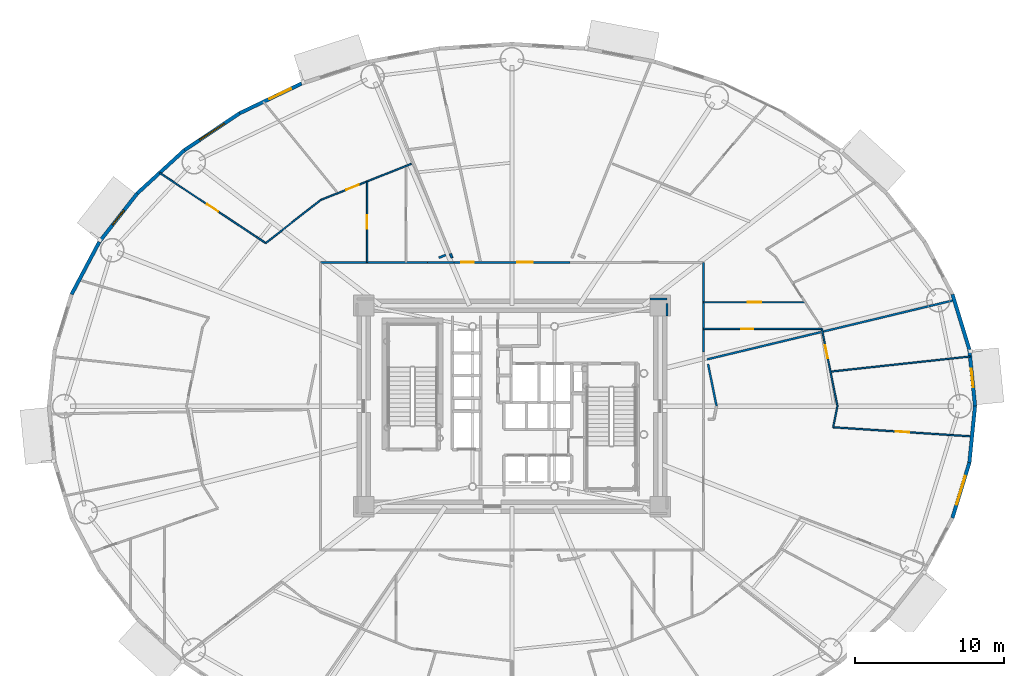
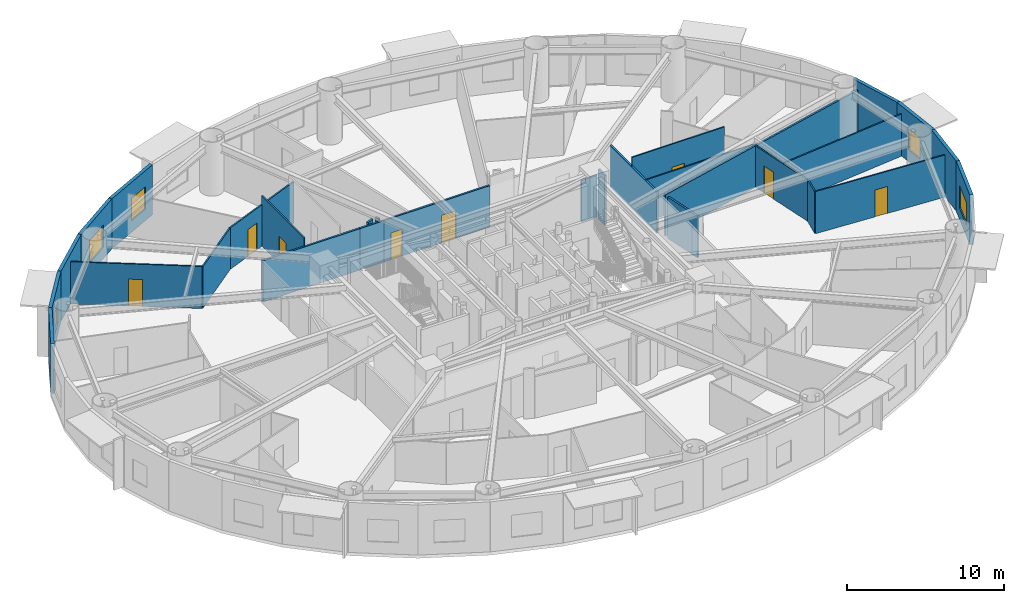
# One storey, part 12 of 21: 29 walls, 9 doors, 5 windows, 14 openings.
"""IFC4 building model written with IfcOpenShell, lengths in metres."""

from ifc_helpers import new_model, si_unit, direction, frame, frame_2d, origin, origin_2d, place, context, subcontext, project, spatial, rectangle, extrude, source, transform, mapped, material, layer, layer_set, type_object, element, fill, save


model = new_model("IFC4")

# Units and contexts
model_context = context("Model", 3, precision=1e-05, world=origin(), true_north=direction((0.0, 1.0)))
body_context = subcontext(model_context, "Body", "Model", "MODEL_VIEW")
ifc_project = project(units=[si_unit("LENGTHUNIT", "METRE"), si_unit("AREAUNIT", "SQUARE_METRE"), si_unit("VOLUMEUNIT", "CUBIC_METRE"), si_unit("PLANEANGLEUNIT", "RADIAN"), si_unit("MASSUNIT", "GRAM", prefix="KILO")], contexts=[model_context])

# Site, building, storey
site_placement = place(None, origin())
site = spatial("IfcSite", under=ifc_project, at=site_placement, CompositionType="ELEMENT")
building_placement = place(site_placement, origin())
building = spatial("IfcBuilding", under=site, at=building_placement, Name="Linh Dai School and Residence Tower", CompositionType="ELEMENT")
storey_placement = place(building_placement, frame((0.0, 0.0, 82.800048828125)))
storey = spatial("IfcBuildingStorey", under=building, at=storey_placement, Name="L19", CompositionType="ELEMENT", Elevation=82.800048828125)

# Wall, opening, window
ifc_material_1 = material(Name="Precast Concrete B45 (C35/45)", Category="concrete")
ifc_layer_1 = layer(ifc_material_1, 0.239990234375)
ifc_layer_set_1 = layer_set([ifc_layer_1], Name="Precast Concrete B45 (C35/45)")
wall_type_1 = type_object("IfcWallType", Name="EW-TC-240", PredefinedType="SOLIDWALL", material=ifc_layer_set_1)
wall_1_placement = place(storey_placement, frame((66.693359375, 30.796875, 0.0), z_axis=(0.0, 0.0, 1.0), x_axis=(0.099997795174, -0.994987658698, 0.0)))
wall_1 = element("IfcWall", 1, at=wall_1_placement, inside=storey, type_object=wall_type_1, Name="L19 Terracotta Exterior Wall 01", PredefinedType="SOLIDWALL", context=body_context, shape_type="SweptSolid", body=[
    extrude(rectangle(XDim=3.81591796875, YDim=0.239990234375, at=frame_2d((1.907958984375, 0.0))), origin(), (0.0, 0.0, 1.0), 3.89990234375),
])
opening_1_placement = place(wall_1_placement, frame((1.282958984375, 0.0, 0.89990234375)))
opening_1 = element("IfcOpeningElement", 2, at=opening_1_placement, cuts=wall_1, Name="Opening W3", PredefinedType="OPENING", context=body_context, shape_type="SweptSolid", body=[
    extrude(rectangle(XDim=1.25, YDim=1.64990234375, at=origin_2d()), frame((0.625, 0.1298828125, 0.824951171875), z_axis=(0.0, -1.0, 0.0), x_axis=(1.0, 0.0, 0.0)), (0.0, 0.0, 1.0), 0.260009765625),
])
ifc_material_2 = material(Name="Double Low-E Insulated Glazing", Category="glass")
window_type_1 = type_object("IfcWindowType", Name="WN-RES-1250x1650", PartitioningType="SINGLE_PANEL", PredefinedType="WINDOW", material=ifc_material_2)
shared_shape_1 = source(origin(), body_context, "Body", "SweptSolid", [
    extrude(rectangle(XDim=1.25, YDim=1.64990234375, at=origin_2d()), frame((0.625, 0.030029296875, 0.824951171875), z_axis=(0.0, -1.0, 0.0), x_axis=(1.0, 0.0, 0.0)), (0.0, 0.0, 1.0), 0.06005859375),
])
window_1_placement = place(opening_1_placement, origin())
window_1 = element("IfcWindow", 3, at=window_1_placement, inside=storey, type_object=window_type_1, Name="L19 Dwelling Window U1904-BD3", OverallHeight=1.64990234375, OverallWidth=1.25, PartitioningType="SINGLE_PANEL", PredefinedType="WINDOW", context=body_context, shape_type="MappedRepresentation", body=[
    mapped(shared_shape_1, transform((0.0, 0.0, 0.0), x_axis=(1.0, 0.0, 0.0), y_axis=(0.0, 1.0, 0.0), z_axis=(0.0, 0.0, 1.0), scale=1.0)),
])
fill(opening_1, window_1)

# Wall
wall_2_placement = place(storey_placement, frame((65.5576171875, 34.50146484375, 0.0), z_axis=(0.0, 0.0, 1.0), x_axis=(0.293111631758, -0.956078224482, 0.0)))
element("IfcWall", 4, at=wall_2_placement, inside=storey, type_object=wall_type_1, Name="L19 Terracotta Exterior Wall 02", PredefinedType="SOLIDWALL", context=body_context, shape_type="SweptSolid", body=[
    extrude(rectangle(XDim=3.874755859375, YDim=0.239990234375, at=frame_2d((1.9375, 0.0))), origin(), (0.0, 0.0, 1.0), 3.89990234375),
])

# Wall, opening, window
wall_3_placement = place(storey_placement, frame((17.722900390625, 46.65576171875, 0.0), z_axis=(0.0, 0.0, 1.0), x_axis=(0.901601503137, 0.432567601123, 0.0)))
wall_3 = element("IfcWall", 5, at=wall_3_placement, inside=storey, type_object=wall_type_1, Name="L19 Terracotta Exterior Wall 14", PredefinedType="SOLIDWALL", context=body_context, shape_type="SweptSolid", body=[
    extrude(rectangle(XDim=4.61279296875, YDim=0.239990234375, at=frame_2d((2.306396484375, 0.0))), origin(), (0.0, 0.0, 1.0), 3.89990234375),
])
opening_2_placement = place(wall_3_placement, frame((2.211669921875, 0.0, 0.89990234375)))
opening_2 = element("IfcOpeningElement", 6, at=opening_2_placement, cuts=wall_3, Name="Opening W2", PredefinedType="OPENING", context=body_context, shape_type="SweptSolid", body=[
    extrude(rectangle(XDim=1.60009765625, YDim=1.75, at=origin_2d()), frame((0.800048828125, 0.1298828125, 0.875), z_axis=(0.0, -1.0, 0.0), x_axis=(1.0, 0.0, 0.0)), (0.0, 0.0, 1.0), 0.260009765625),
])
window_type_2 = type_object("IfcWindowType", Name="WN-RES-1600x1750", PartitioningType="DOUBLE_PANEL_VERTICAL", PredefinedType="WINDOW", material=ifc_material_2)
shared_shape_2 = source(origin(), body_context, "Body", "SweptSolid", [
    extrude(rectangle(XDim=1.60009765625, YDim=1.75, at=origin_2d()), frame((0.800048828125, 0.030029296875, 0.875), z_axis=(0.0, -1.0, 0.0), x_axis=(1.0, 0.0, 0.0)), (0.0, 0.0, 1.0), 0.06005859375),
])
window_2_placement = place(opening_2_placement, origin())
window_2 = element("IfcWindow", 7, at=window_2_placement, inside=storey, type_object=window_type_2, Name="L19 Exterior Window 14.1", OverallHeight=1.75, OverallWidth=1.60009765625, PartitioningType="DOUBLE_PANEL_VERTICAL", PredefinedType="WINDOW", context=body_context, shape_type="MappedRepresentation", body=[
    mapped(shared_shape_2, transform((0.0, 0.0, 0.0), x_axis=(1.0, 0.0, 0.0), y_axis=(0.0, 1.0, 0.0), z_axis=(0.0, 0.0, 1.0), scale=1.0)),
])
fill(opening_2, window_2)

wall_4_placement = place(storey_placement, frame((14.015380859375, 44.17626953125, 0.0), z_axis=(0.0, 0.0, 1.0), x_axis=(0.831240982525, 0.555912249343, 0.0)))
wall_4 = element("IfcWall", 8, at=wall_4_placement, inside=storey, type_object=wall_type_1, Name="L19 Terracotta Exterior Wall 15", PredefinedType="SOLIDWALL", context=body_context, shape_type="SweptSolid", body=[
    extrude(rectangle(XDim=4.460205078125, YDim=0.239990234375, at=frame_2d((2.22998046875, 0.0))), origin(), (0.0, 0.0, 1.0), 3.89990234375),
])
opening_3_placement = place(wall_4_placement, frame((1.230224609375, 0.0, 0.89990234375)))
opening_3 = element("IfcOpeningElement", 9, at=opening_3_placement, cuts=wall_4, Name="Opening W1", PredefinedType="OPENING", context=body_context, shape_type="SweptSolid", body=[
    extrude(rectangle(XDim=2.0, YDim=1.75, at=origin_2d()), frame((1.0, 0.1298828125, 0.875), z_axis=(0.0, -1.0, 0.0), x_axis=(1.0, 0.0, 0.0)), (0.0, 0.0, 1.0), 0.260009765625),
])
window_type_3 = type_object("IfcWindowType", Name="WN-RES-2000x1750", PartitioningType="DOUBLE_PANEL_VERTICAL", PredefinedType="WINDOW", material=ifc_material_2)
shared_shape_3 = source(origin(), body_context, "Body", "SweptSolid", [
    extrude(rectangle(XDim=2.0, YDim=1.75, at=origin_2d()), frame((1.0, 0.030029296875, 0.875), z_axis=(0.0, -1.0, 0.0), x_axis=(1.0, 0.0, 0.0)), (0.0, 0.0, 1.0), 0.06005859375),
])
window_3_placement = place(opening_3_placement, origin())
window_3 = element("IfcWindow", 10, at=window_3_placement, inside=storey, type_object=window_type_3, Name="L19 Exterior Window 15.1", OverallHeight=1.75, OverallWidth=2.0, PartitioningType="DOUBLE_PANEL_VERTICAL", PredefinedType="WINDOW", context=body_context, shape_type="MappedRepresentation", body=[
    mapped(shared_shape_3, transform((0.0, 0.0, 0.0), x_axis=(1.0, 0.0, 0.0), y_axis=(0.0, 1.0, 0.0), z_axis=(0.0, 0.0, 1.0), scale=1.0)),
])
fill(opening_3, window_3)

# Wall
wall_5_placement = place(storey_placement, frame((10.850341796875, 41.274658203125, 0.0), z_axis=(0.0, 0.0, 1.0), x_axis=(0.737116376281, 0.67576582321, 0.0)))
element("IfcWall", 11, at=wall_5_placement, inside=storey, type_object=wall_type_1, Name="L19 Terracotta Exterior Wall 16", PredefinedType="SOLIDWALL", context=body_context, shape_type="SweptSolid", body=[
    extrude(rectangle(XDim=4.293701171875, YDim=0.239990234375, at=frame_2d((2.14697265625, 0.0))), origin(), (0.0, 0.0, 1.0), 3.89990234375),
])

# Wall, opening, window
wall_6_placement = place(storey_placement, frame((8.305419921875, 38.022705078125, 0.0), z_axis=(0.0, 0.0, 1.0), x_axis=(0.616295508253, 0.787514981767, 0.0)))
wall_6 = element("IfcWall", 12, at=wall_6_placement, inside=storey, type_object=wall_type_1, Name="L19 Terracotta Exterior Wall 17", PredefinedType="SOLIDWALL", context=body_context, shape_type="SweptSolid", body=[
    extrude(rectangle(XDim=4.12939453125, YDim=0.239990234375, at=frame_2d((2.064697265625, 0.0))), origin(), (0.0, 0.0, 1.0), 3.89990234375),
])
opening_4_placement = place(wall_6_placement, frame((1.439697265625, 0.0, 0.89990234375)))
opening_4 = element("IfcOpeningElement", 13, at=opening_4_placement, cuts=wall_6, Name="Opening W3", PredefinedType="OPENING", context=body_context, shape_type="SweptSolid", body=[
    extrude(rectangle(XDim=1.25, YDim=1.64990234375, at=origin_2d()), frame((0.625, 0.1298828125, 0.824951171875), z_axis=(0.0, -1.0, 0.0), x_axis=(1.0, 0.0, 0.0)), (0.0, 0.0, 1.0), 0.260009765625),
])
window_4_placement = place(opening_4_placement, origin())
window_4 = element("IfcWindow", 14, at=window_4_placement, inside=storey, type_object=window_type_1, Name="L19 Dwelling Window U1901-LIV", OverallHeight=1.64990234375, OverallWidth=1.25, PartitioningType="SINGLE_PANEL", PredefinedType="WINDOW", context=body_context, shape_type="MappedRepresentation", body=[
    mapped(shared_shape_1, transform((0.0, 0.0, 0.0), x_axis=(1.0, 0.0, 0.0), y_axis=(0.0, 1.0, 0.0), z_axis=(0.0, 0.0, 1.0), scale=1.0)),
])
fill(opening_4, window_4)

# Wall
wall_7_placement = place(storey_placement, frame((6.4423828125, 34.50146484375, 0.0), z_axis=(0.0, 0.0, 1.0), x_axis=(0.467662443071, 0.883907144072, 0.0)))
element("IfcWall", 15, at=wall_7_placement, inside=storey, type_object=wall_type_1, Name="L19 Terracotta Exterior Wall 18", PredefinedType="SOLIDWALL", context=body_context, shape_type="SweptSolid", body=[
    extrude(rectangle(XDim=3.983642578125, YDim=0.239990234375, at=frame_2d((1.99169921875, 0.0))), origin(), (0.0, 0.0, 1.0), 3.89990234375),
])

# Wall, opening, window
wall_8_placement = place(storey_placement, frame((66.693359375, 23.203125, 0.0), z_axis=(0.0, 0.0, 1.0), x_axis=(-0.293111631758, -0.956078224482, 0.0)))
wall_8 = element("IfcWall", 16, at=wall_8_placement, inside=storey, type_object=wall_type_1, Name="L19 Terracotta Exterior Wall 39", PredefinedType="SOLIDWALL", context=body_context, shape_type="SweptSolid", body=[
    extrude(rectangle(XDim=3.874755859375, YDim=0.239990234375, at=frame_2d((1.9375, 0.0))), origin(), (0.0, 0.0, 1.0), 3.89990234375),
])
opening_5_placement = place(wall_8_placement, frame((0.9375, 0.0, 0.89990234375)))
opening_5 = element("IfcOpeningElement", 17, at=opening_5_placement, cuts=wall_8, Name="Opening W1", PredefinedType="OPENING", context=body_context, shape_type="SweptSolid", body=[
    extrude(rectangle(XDim=2.0, YDim=1.75, at=origin_2d()), frame((1.0, 0.1298828125, 0.875), z_axis=(0.0, -1.0, 0.0), x_axis=(1.0, 0.0, 0.0)), (0.0, 0.0, 1.0), 0.260009765625),
])
window_5_placement = place(opening_5_placement, origin())
window_5 = element("IfcWindow", 18, at=window_5_placement, inside=storey, type_object=window_type_3, Name="L19 Exterior Window 39.1", OverallHeight=1.75, OverallWidth=2.0, PartitioningType="DOUBLE_PANEL_VERTICAL", PredefinedType="WINDOW", context=body_context, shape_type="MappedRepresentation", body=[
    mapped(shared_shape_3, transform((0.0, 0.0, 0.0), x_axis=(1.0, 0.0, 0.0), y_axis=(0.0, 1.0, 0.0), z_axis=(0.0, 0.0, 1.0), scale=1.0)),
])
fill(opening_5, window_5)

# Walls
wall_9_placement = place(storey_placement, frame((67.074951171875, 27.0, 0.0), z_axis=(0.0, 0.0, 1.0), x_axis=(-0.099997795174, -0.994987658698, 0.0)))
element("IfcWall", 19, at=wall_9_placement, inside=storey, type_object=wall_type_1, Name="L19 Terracotta Exterior Wall 40", PredefinedType="SOLIDWALL", context=body_context, shape_type="SweptSolid", body=[
    extrude(rectangle(XDim=3.81591796875, YDim=0.239990234375, at=frame_2d((1.907958984375, 0.0))), origin(), (0.0, 0.0, 1.0), 3.89990234375),
])
ifc_material_3 = material(Name="Autoclaved Aerated Concrete Blockwork", Category="masonry")
ifc_layer_2 = layer(ifc_material_3, 0.135009765625)
ifc_layer_set_2 = layer_set([ifc_layer_2], Name="Autoclaved Aerated Concrete Blockwork")
wall_type_2 = type_object("IfcWallType", Name="IW-CORR-135-EI90", PredefinedType="PARTITIONING", material=ifc_layer_set_2)
wall_10_placement = place(storey_placement, frame((23.14990234375, 36.64990234375, 0.0), z_axis=(0.0, 0.0, 1.0), x_axis=(1.0, 0.0, 0.0)))
element("IfcWall", 20, at=wall_10_placement, inside=storey, type_object=wall_type_2, Name="L19 Interior Partition Wall 021", PredefinedType="PARTITIONING", context=body_context, shape_type="SweptSolid", body=[
    extrude(rectangle(XDim=7.17138671875, YDim=0.135009765625, at=frame_2d((3.585693359375, 0.0))), origin(), (0.0, 0.0, 1.0), 3.23486328125),
])

# Wall, openings, doors
wall_11_placement = place(storey_placement, frame((32.10107421875, 36.64990234375, 0.0), z_axis=(0.0, 0.0, 1.0), x_axis=(1.0, 0.0, 0.0)))
wall_11 = element("IfcWall", 21, at=wall_11_placement, inside=storey, type_object=wall_type_2, Name="L19 Interior Partition Wall 040", PredefinedType="PARTITIONING", context=body_context, shape_type="SweptSolid", body=[
    extrude(rectangle(XDim=7.7978515625, YDim=0.135009765625, at=frame_2d((3.89892578125, 0.0))), origin(), (0.0, 0.0, 1.0), 3.23486328125),
])
opening_6_placement = place(wall_11_placement, frame((4.24951171875, 0.0, 0.0)))
opening_6 = element("IfcOpeningElement", 22, at=opening_6_placement, cuts=wall_11, Name="Opening D04", PredefinedType="OPENING", context=body_context, shape_type="SweptSolid", body=[
    extrude(rectangle(XDim=1.050048828125, YDim=2.14990234375, at=origin_2d()), frame((0.52490234375, 0.07763671875, 1.074951171875), z_axis=(0.0, -1.0, 0.0), x_axis=(1.0, 0.0, 0.0)), (0.0, 0.0, 1.0), 0.155029296875),
])
opening_7_placement = place(wall_11_placement, frame((0.505615234375, 0.0, 0.0)))
opening_7 = element("IfcOpeningElement", 23, at=opening_7_placement, cuts=wall_11, Name="Opening D06", PredefinedType="OPENING", context=body_context, shape_type="SweptSolid", body=[
    extrude(rectangle(XDim=0.820068359375, YDim=2.10009765625, at=origin_2d()), frame((0.41015625, 0.07763671875, 1.050048828125), z_axis=(0.0, -1.0, 0.0), x_axis=(1.0, 0.0, 0.0)), (0.0, 0.0, 1.0), 0.155029296875),
])
ifc_material_4 = material(Name="Acoustic Vision-Panel Timber Classroom Door", Category="wood")
door_type_1 = type_object("IfcDoorType", Name="DR-SCH-1050x2150-FD60S", OperationType="NOTDEFINED", PredefinedType="DOOR", material=ifc_material_4)
shared_shape_4 = source(origin(), body_context, "Body", "SweptSolid", [
    extrude(rectangle(XDim=1.050048828125, YDim=2.14990234375, at=origin_2d()), frame((0.52490234375, 0.02490234375, 1.074951171875), z_axis=(0.0, -1.0, 0.0), x_axis=(1.0, 0.0, 0.0)), (0.0, 0.0, 1.0), 0.050048828125),
])
door_1_placement = place(opening_6_placement, origin())
door_1 = element("IfcDoor", 24, at=door_1_placement, inside=storey, type_object=door_type_1, Name="L19 Resident Reading Library Door", OperationType="SINGLE_SWING_RIGHT", OverallHeight=2.14990234375, OverallWidth=1.050048828125, PredefinedType="DOOR", context=body_context, shape_type="MappedRepresentation", body=[
    mapped(shared_shape_4, transform((0.0, 0.0, 0.0), x_axis=(1.0, 0.0, 0.0), y_axis=(0.0, 1.0, 0.0), z_axis=(0.0, 0.0, 1.0), scale=1.0)),
])
fill(opening_6, door_1)
ifc_material_5 = material(Name="Moisture-Resistant Timber Bathroom Door", Category="wood")
door_type_2 = type_object("IfcDoorType", Name="DR-WET-820x2100", OperationType="NOTDEFINED", PredefinedType="DOOR", material=ifc_material_5)
shared_shape_5 = source(origin(), body_context, "Body", "SweptSolid", [
    extrude(rectangle(XDim=0.820068359375, YDim=2.10009765625, at=origin_2d()), frame((0.41015625, 0.02490234375, 1.050048828125), z_axis=(0.0, -1.0, 0.0), x_axis=(1.0, 0.0, 0.0)), (0.0, 0.0, 1.0), 0.050048828125),
])
door_2_placement = place(opening_7_placement, origin())
door_2 = element("IfcDoor", 25, at=door_2_placement, inside=storey, type_object=door_type_2, Name="L19 Amenity Accessible WC Door", OperationType="SINGLE_SWING_LEFT", OverallHeight=2.10009765625, OverallWidth=0.820068359375, PredefinedType="DOOR", context=body_context, shape_type="MappedRepresentation", body=[
    mapped(shared_shape_5, transform((0.0, 0.0, 0.0), x_axis=(1.0, 0.0, 0.0), y_axis=(0.0, 1.0, 0.0), z_axis=(0.0, 0.0, 1.0), scale=1.0)),
])
fill(opening_7, door_2)

# Walls
wall_12_placement = place(storey_placement, frame((48.85009765625, 30.638427734375, 0.0), z_axis=(0.0, 0.0, 1.0), x_axis=(0.0, 1.0, 0.0)))
element("IfcWall", 26, at=wall_12_placement, inside=storey, type_object=wall_type_2, Name="L19 Interior Partition Wall 086", PredefinedType="PARTITIONING", context=body_context, shape_type="SweptSolid", body=[
    extrude(rectangle(XDim=6.011474609375, YDim=0.135009765625, at=frame_2d((3.005859375, 0.0))), origin(), (0.0, 0.0, 1.0), 3.23486328125),
])
wall_13_placement = place(storey_placement, frame((49.09326171875, 30.13818359375, 0.0), z_axis=(0.0, 0.0, 1.0), x_axis=(0.972454817416, 0.233091458627, 0.0)))
element("IfcWall", 27, at=wall_13_placement, inside=storey, type_object=wall_type_2, Name="L19 Interior Partition Wall 089", PredefinedType="PARTITIONING", context=body_context, shape_type="SweptSolid", body=[
    extrude(rectangle(XDim=17.05810546875, YDim=0.135009765625, at=frame_2d((8.529052734375, 0.0))), origin(), (0.0, 0.0, 1.0), 3.23486328125),
])
wall_14_placement = place(storey_placement, frame((30.331298828125, 36.64990234375, 0.0), z_axis=(0.0, 0.0, 1.0), x_axis=(1.0, 0.0, 0.0)))
element("IfcWall", 28, at=wall_14_placement, inside=storey, type_object=wall_type_2, Name="L19 Interior Partition Wall 112", PredefinedType="PARTITIONING", context=body_context, shape_type="SweptSolid", body=[
    extrude(rectangle(XDim=1.759765625, YDim=0.135009765625, at=frame_2d((0.8798828125, 0.0))), origin(), (0.0, 0.0, 1.0), 3.23486328125),
])
wall_15_placement = place(storey_placement, frame((46.39990234375, 34.199951171875, 0.0), z_axis=(0.0, 0.0, 1.0), x_axis=(-1.0, 0.0, 0.0)))
element("IfcWall", 29, at=wall_15_placement, inside=storey, type_object=wall_type_2, Name="L19 Interior Partition Wall 118", PredefinedType="PARTITIONING", context=body_context, shape_type="SweptSolid", body=[
    extrude(rectangle(XDim=1.139892578125, YDim=0.135009765625, at=frame_2d((0.56982421875, 0.0))), origin(), (0.0, 0.0, 1.0), 3.23486328125),
])
wall_16_placement = place(storey_placement, frame((46.39990234375, 33.06005859375, 0.0), z_axis=(0.0, 0.0, 1.0), x_axis=(0.0, 1.0, 0.0)))
element("IfcWall", 30, at=wall_16_placement, inside=storey, type_object=wall_type_2, Name="L19 Interior Partition Wall 125", PredefinedType="PARTITIONING", context=body_context, shape_type="SweptSolid", body=[
    extrude(rectangle(XDim=0.83251953125, YDim=0.135009765625, at=frame_2d((0.416259765625, 0.0))), origin(), (0.0, 0.0, 1.0), 3.89990234375),
])
wall_17_placement = place(storey_placement, frame((49.72802734375, 27.0, 0.0), z_axis=(0.0, 0.0, 1.0), x_axis=(-0.19828576171, 0.980144253007, 0.0)))
element("IfcWall", 31, at=wall_17_placement, inside=storey, type_object=wall_type_2, Name="L19 Interior Partition Wall 139", PredefinedType="PARTITIONING", context=body_context, shape_type="SweptSolid", body=[
    extrude(rectangle(XDim=2.87744140625, YDim=0.135009765625, at=frame_2d((1.438720703125, 0.0))), origin(), (0.0, 0.0, 1.0), 3.23486328125),
])
ifc_layer_3 = layer(ifc_material_3, 0.14990234375)
ifc_layer_set_3 = layer_set([ifc_layer_3], Name="Autoclaved Aerated Concrete Blockwork")
wall_type_3 = type_object("IfcWallType", Name="IW-SCH-150-EI60", PredefinedType="PARTITIONING", material=ifc_layer_set_3)
wall_18_placement = place(storey_placement, frame((31.976806640625, 36.95751953125, 0.0), z_axis=(0.0, 0.0, 1.0), x_axis=(-0.374574137078, 0.927196967118, 0.0)))
element("IfcWall", 32, at=wall_18_placement, inside=storey, type_object=wall_type_3, Name="L19 Interior Partition Wall 127", PredefinedType="PARTITIONING", context=body_context, shape_type="SweptSolid", body=[
    extrude(rectangle(XDim=0.290771484375, YDim=0.14990234375, at=frame_2d((0.1455078125, 0.0))), origin(), (0.0, 0.0, 1.0), 3.23486328125),
])
wall_19_placement = place(storey_placement, frame((31.5498046875, 37.14013671875, 0.0), z_axis=(0.0, 0.0, 1.0), x_axis=(-0.92881793224, -0.370536433768, 0.0)))
element("IfcWall", 33, at=wall_19_placement, inside=storey, type_object=wall_type_3, Name="L19 Interior Partition Wall 129", PredefinedType="PARTITIONING", context=body_context, shape_type="SweptSolid", body=[
    extrude(rectangle(XDim=0.492919921875, YDim=0.14990234375, at=frame_2d((0.24658203125, 0.0))), origin(), (0.0, 0.0, 1.0), 3.23486328125),
])

# Wall, opening, door
ifc_material_6 = material(Name="Gypsum Plasterboard Acoustic Stud Partition", Category="masonry")
ifc_layer_4 = layer(ifc_material_6, 0.10009765625)
ifc_layer_set_4 = layer_set([ifc_layer_4], Name="Gypsum Plasterboard Acoustic Stud Partition")
wall_type_4 = type_object("IfcWallType", Name="IW-UNIT-100", PredefinedType="PARTITIONING", material=ifc_layer_set_4)
wall_20_placement = place(storey_placement, frame((12.35107421875, 42.6572265625, 0.0), z_axis=(0.0, 0.0, 1.0), x_axis=(0.833801361147, -0.552064570633, 0.0)))
wall_20 = element("IfcWall", 34, at=wall_20_placement, inside=storey, type_object=wall_type_4, Name="L19 Interior Partition Wall 007", PredefinedType="PARTITIONING", context=body_context, shape_type="SweptSolid", body=[
    extrude(rectangle(XDim=8.5380859375, YDim=0.10009765625, at=frame_2d((4.26904296875, 0.0))), origin(), (0.0, 0.0, 1.0), 3.284912109375),
])
opening_8_placement = place(wall_20_placement, frame((3.819091796875, 0.0, 0.0)))
opening_8 = element("IfcOpeningElement", 35, at=opening_8_placement, cuts=wall_20, Name="Opening D05", PredefinedType="OPENING", context=body_context, shape_type="SweptSolid", body=[
    extrude(rectangle(XDim=0.89990234375, YDim=2.10009765625, at=origin_2d()), frame((0.449951171875, 0.06005859375, 1.050048828125), z_axis=(0.0, -1.0, 0.0), x_axis=(1.0, 0.0, 0.0)), (0.0, 0.0, 1.0), 0.1201171875),
])
ifc_material_7 = material(Name="Engineered Timber Internal Door", Category="wood")
door_type_3 = type_object("IfcDoorType", Name="DR-INT-900x2100", OperationType="NOTDEFINED", PredefinedType="DOOR", material=ifc_material_7)
shared_shape_6 = source(origin(), body_context, "Body", "SweptSolid", [
    extrude(rectangle(XDim=0.89990234375, YDim=2.10009765625, at=origin_2d()), frame((0.449951171875, 0.02490234375, 1.050048828125), z_axis=(0.0, -1.0, 0.0), x_axis=(1.0, 0.0, 0.0)), (0.0, 0.0, 1.0), 0.050048828125),
])
door_3_placement = place(opening_8_placement, origin())
door_3 = element("IfcDoor", 36, at=door_3_placement, inside=storey, type_object=door_type_3, Name="L19 Apartment U1901 Principal Bedroom 2 Door", OperationType="SINGLE_SWING_RIGHT", OverallHeight=2.10009765625, OverallWidth=0.89990234375, PredefinedType="DOOR", context=body_context, shape_type="MappedRepresentation", body=[
    mapped(shared_shape_6, transform((0.0, 0.0, 0.0), x_axis=(1.0, 0.0, 0.0), y_axis=(0.0, 1.0, 0.0), z_axis=(0.0, 0.0, 1.0), scale=1.0)),
])
fill(opening_8, door_3)

# Wall
wall_21_placement = place(storey_placement, frame((19.47021484375, 37.943603515625, 0.0), z_axis=(0.0, 0.0, 1.0), x_axis=(0.787352286351, 0.616503347256, 0.0)))
element("IfcWall", 37, at=wall_21_placement, inside=storey, type_object=wall_type_4, Name="L19 Interior Partition Wall 015", PredefinedType="PARTITIONING", context=body_context, shape_type="SweptSolid", body=[
    extrude(rectangle(XDim=4.68994140625, YDim=0.10009765625, at=frame_2d((2.344970703125, 0.0))), origin(), (0.0, 0.0, 1.0), 3.23486328125),
])

# Wall, opening, door
wall_22_placement = place(storey_placement, frame((23.162841796875, 40.8349609375, 0.0), z_axis=(0.0, 0.0, 1.0), x_axis=(0.928799979038, 0.370581433613, 0.0)))
wall_22 = element("IfcWall", 38, at=wall_22_placement, inside=storey, type_object=wall_type_4, Name="L19 Interior Partition Wall 023", PredefinedType="PARTITIONING", context=body_context, shape_type="SweptSolid", body=[
    extrude(rectangle(XDim=6.55517578125, YDim=0.10009765625, at=frame_2d((3.277587890625, 0.0))), origin(), (0.0, 0.0, 1.0), 3.23486328125),
])
opening_9_placement = place(wall_22_placement, frame((1.84716796875, 0.0, 0.0)))
opening_9 = element("IfcOpeningElement", 39, at=opening_9_placement, cuts=wall_22, Name="Opening D05", PredefinedType="OPENING", context=body_context, shape_type="SweptSolid", body=[
    extrude(rectangle(XDim=0.89990234375, YDim=2.10009765625, at=origin_2d()), frame((0.449951171875, 0.06005859375, 1.050048828125), z_axis=(0.0, -1.0, 0.0), x_axis=(1.0, 0.0, 0.0)), (0.0, 0.0, 1.0), 0.1201171875),
])
door_4_placement = place(opening_9_placement, origin())
door_4 = element("IfcDoor", 40, at=door_4_placement, inside=storey, type_object=door_type_3, Name="L19 Apartment U1901 Principal Bedroom 1 Door", OperationType="SINGLE_SWING_LEFT", OverallHeight=2.10009765625, OverallWidth=0.89990234375, PredefinedType="DOOR", context=body_context, shape_type="MappedRepresentation", body=[
    mapped(shared_shape_6, transform((0.0, 0.0, 0.0), x_axis=(1.0, 0.0, 0.0), y_axis=(0.0, 1.0, 0.0), z_axis=(0.0, 0.0, 1.0), scale=1.0)),
])
fill(opening_9, door_4)

wall_23_placement = place(storey_placement, frame((26.2724609375, 36.64990234375, 0.0), z_axis=(0.0, 0.0, 1.0), x_axis=(0.0, 1.0, 0.0)))
wall_23 = element("IfcWall", 41, at=wall_23_placement, inside=storey, type_object=wall_type_4, Name="L19 Interior Partition Wall 024", PredefinedType="PARTITIONING", context=body_context, shape_type="SweptSolid", body=[
    extrude(rectangle(XDim=5.42578125, YDim=0.10009765625, at=frame_2d((2.712890625, 0.0))), origin(), (0.0, 0.0, 1.0), 3.89990234375),
])
opening_10_placement = place(wall_23_placement, frame((2.2626953125, 0.0, 0.0)))
opening_10 = element("IfcOpeningElement", 42, at=opening_10_placement, cuts=wall_23, Name="Opening D05", PredefinedType="OPENING", context=body_context, shape_type="SweptSolid", body=[
    extrude(rectangle(XDim=0.89990234375, YDim=2.10009765625, at=origin_2d()), frame((0.449951171875, 0.06005859375, 1.050048828125), z_axis=(0.0, -1.0, 0.0), x_axis=(1.0, 0.0, 0.0)), (0.0, 0.0, 1.0), 0.1201171875),
])
door_5_placement = place(opening_10_placement, origin())
door_5 = element("IfcDoor", 43, at=door_5_placement, inside=storey, type_object=door_type_3, Name="L19 Apartment U1901 Kitchen Door", OperationType="SINGLE_SWING_LEFT", OverallHeight=2.10009765625, OverallWidth=0.89990234375, PredefinedType="DOOR", context=body_context, shape_type="MappedRepresentation", body=[
    mapped(shared_shape_6, transform((0.0, 0.0, 0.0), x_axis=(1.0, 0.0, 0.0), y_axis=(0.0, 1.0, 0.0), z_axis=(0.0, 0.0, 1.0), scale=1.0)),
])
fill(opening_10, door_5)

wall_24_placement = place(storey_placement, frame((48.85009765625, 32.177490234375, 0.0), z_axis=(0.0, 0.0, 1.0), x_axis=(1.0, 0.0, 0.0)))
wall_24 = element("IfcWall", 44, at=wall_24_placement, inside=storey, type_object=wall_type_4, Name="L19 Interior Partition Wall 087", PredefinedType="PARTITIONING", context=body_context, shape_type="SweptSolid", body=[
    extrude(rectangle(XDim=7.942626953125, YDim=0.10009765625, at=frame_2d((3.97119140625, 0.0))), origin(), (0.0, 0.0, 1.0), 3.23486328125),
])
opening_11_placement = place(wall_24_placement, frame((2.52880859375, 0.0, 0.0)))
opening_11 = element("IfcOpeningElement", 45, at=opening_11_placement, cuts=wall_24, Name="Opening D06", PredefinedType="OPENING", context=body_context, shape_type="SweptSolid", body=[
    extrude(rectangle(XDim=0.820068359375, YDim=2.10009765625, at=origin_2d()), frame((0.41015625, 0.06005859375, 1.050048828125), z_axis=(0.0, -1.0, 0.0), x_axis=(1.0, 0.0, 0.0)), (0.0, 0.0, 1.0), 0.1201171875),
])
door_6_placement = place(opening_11_placement, origin())
door_6 = element("IfcDoor", 46, at=door_6_placement, inside=storey, type_object=door_type_2, Name="L19 Apartment U1905 Bathroom 1 Door", OperationType="SINGLE_SWING_RIGHT", OverallHeight=2.10009765625, OverallWidth=0.820068359375, PredefinedType="DOOR", context=body_context, shape_type="MappedRepresentation", body=[
    mapped(shared_shape_5, transform((0.0, 0.0, 0.0), x_axis=(1.0, 0.0, 0.0), y_axis=(0.0, 1.0, 0.0), z_axis=(0.0, 0.0, 1.0), scale=1.0)),
])
fill(opening_11, door_6)

wall_25_placement = place(storey_placement, frame((48.85009765625, 33.971923828125, 0.0), z_axis=(0.0, 0.0, 1.0), x_axis=(1.0, 0.0, 0.0)))
wall_25 = element("IfcWall", 47, at=wall_25_placement, inside=storey, type_object=wall_type_4, Name="L19 Interior Partition Wall 088", PredefinedType="PARTITIONING", context=body_context, shape_type="SweptSolid", body=[
    extrude(rectangle(XDim=6.822998046875, YDim=0.10009765625, at=frame_2d((3.41162109375, 0.0))), origin(), (0.0, 0.0, 1.0), 3.89990234375),
])
opening_12_placement = place(wall_25_placement, frame((2.96142578125, 0.0, 0.0)))
opening_12 = element("IfcOpeningElement", 48, at=opening_12_placement, cuts=wall_25, Name="Opening D05", PredefinedType="OPENING", context=body_context, shape_type="SweptSolid", body=[
    extrude(rectangle(XDim=0.89990234375, YDim=2.10009765625, at=origin_2d()), frame((0.449951171875, 0.06005859375, 1.050048828125), z_axis=(0.0, -1.0, 0.0), x_axis=(1.0, 0.0, 0.0)), (0.0, 0.0, 1.0), 0.1201171875),
])
door_7_placement = place(opening_12_placement, origin())
door_7 = element("IfcDoor", 49, at=door_7_placement, inside=storey, type_object=door_type_3, Name="L19 Apartment U1905 Kitchen Door", OperationType="SINGLE_SWING_LEFT", OverallHeight=2.10009765625, OverallWidth=0.89990234375, PredefinedType="DOOR", context=body_context, shape_type="MappedRepresentation", body=[
    mapped(shared_shape_6, transform((0.0, 0.0, 0.0), x_axis=(1.0, 0.0, 0.0), y_axis=(0.0, 1.0, 0.0), z_axis=(0.0, 0.0, 1.0), scale=1.0)),
])
fill(opening_12, door_7)

wall_26_placement = place(storey_placement, frame((56.792724609375, 32.177490234375, 0.0), z_axis=(0.0, 0.0, 1.0), x_axis=(0.198320904187, -0.980137142936, 0.0)))
wall_26 = element("IfcWall", 50, at=wall_26_placement, inside=storey, type_object=wall_type_4, Name="L19 Interior Partition Wall 098", PredefinedType="PARTITIONING", context=body_context, shape_type="SweptSolid", body=[
    extrude(rectangle(XDim=5.280029296875, YDim=0.10009765625, at=frame_2d((2.64013671875, 0.0))), origin(), (0.0, 0.0, 1.0), 3.23486328125),
])
opening_13_placement = place(wall_26_placement, frame((1.10400390625, 0.0, 0.0)))
opening_13 = element("IfcOpeningElement", 51, at=opening_13_placement, cuts=wall_26, Name="Opening D05", PredefinedType="OPENING", context=body_context, shape_type="SweptSolid", body=[
    extrude(rectangle(XDim=0.89990234375, YDim=2.10009765625, at=origin_2d()), frame((0.449951171875, 0.06005859375, 1.050048828125), z_axis=(0.0, -1.0, 0.0), x_axis=(1.0, 0.0, 0.0)), (0.0, 0.0, 1.0), 0.1201171875),
])
door_8_placement = place(opening_13_placement, origin())
door_8 = element("IfcDoor", 52, at=door_8_placement, inside=storey, type_object=door_type_3, Name="L19 Apartment U1904 Study Door", OperationType="SINGLE_SWING_RIGHT", OverallHeight=2.10009765625, OverallWidth=0.89990234375, PredefinedType="DOOR", context=body_context, shape_type="MappedRepresentation", body=[
    mapped(shared_shape_6, transform((0.0, 0.0, 0.0), x_axis=(1.0, 0.0, 0.0), y_axis=(0.0, 1.0, 0.0), z_axis=(0.0, 0.0, 1.0), scale=1.0)),
])
fill(opening_13, door_8)

# Walls
wall_27_placement = place(storey_placement, frame((57.37158203125, 29.316162109375, 0.0), z_axis=(0.0, 0.0, 1.0), x_axis=(0.994178519761, 0.107745398258, 0.0)))
element("IfcWall", 53, at=wall_27_placement, inside=storey, type_object=wall_type_4, Name="L19 Interior Partition Wall 099", PredefinedType="PARTITIONING", context=body_context, shape_type="SweptSolid", body=[
    extrude(rectangle(XDim=9.428466796875, YDim=0.10009765625, at=frame_2d((4.71435546875, 0.0))), origin(), (0.0, 0.0, 1.0), 3.284912109375),
])
wall_28_placement = place(storey_placement, frame((57.552978515625, 25.580810546875, 0.0), z_axis=(0.0, 0.0, 1.0), x_axis=(0.198288159485, 0.980143767928, 0.0)))
element("IfcWall", 54, at=wall_28_placement, inside=storey, type_object=wall_type_4, Name="L19 Interior Partition Wall 100", PredefinedType="PARTITIONING", context=body_context, shape_type="SweptSolid", body=[
    extrude(rectangle(XDim=1.447998046875, YDim=0.10009765625, at=frame_2d((0.72412109375, 0.0))), origin(), (0.0, 0.0, 1.0), 3.23486328125),
])

# Wall, opening, door
wall_29_placement = place(storey_placement, frame((57.552978515625, 25.580810546875, 0.0), z_axis=(0.0, 0.0, 1.0), x_axis=(0.997838140119, -0.065719450123, 0.0)))
wall_29 = element("IfcWall", 55, at=wall_29_placement, inside=storey, type_object=wall_type_4, Name="L19 Interior Partition Wall 101", PredefinedType="PARTITIONING", context=body_context, shape_type="SweptSolid", body=[
    extrude(rectangle(XDim=9.343017578125, YDim=0.10009765625, at=frame_2d((4.67138671875, 0.0))), origin(), (0.0, 0.0, 1.0), 3.284912109375),
])
opening_14_placement = place(wall_29_placement, frame((4.221435546875, 0.0, 0.0)))
opening_14 = element("IfcOpeningElement", 56, at=opening_14_placement, cuts=wall_29, Name="Opening D05", PredefinedType="OPENING", context=body_context, shape_type="SweptSolid", body=[
    extrude(rectangle(XDim=0.89990234375, YDim=2.10009765625, at=origin_2d()), frame((0.449951171875, 0.06005859375, 1.050048828125), z_axis=(0.0, -1.0, 0.0), x_axis=(1.0, 0.0, 0.0)), (0.0, 0.0, 1.0), 0.1201171875),
])
door_9_placement = place(opening_14_placement, origin())
door_9 = element("IfcDoor", 57, at=door_9_placement, inside=storey, type_object=door_type_3, Name="L19 Apartment U1904 Principal Bedroom 3 Door", OperationType="SINGLE_SWING_LEFT", OverallHeight=2.10009765625, OverallWidth=0.89990234375, PredefinedType="DOOR", context=body_context, shape_type="MappedRepresentation", body=[
    mapped(shared_shape_6, transform((0.0, 0.0, 0.0), x_axis=(1.0, 0.0, 0.0), y_axis=(0.0, 1.0, 0.0), z_axis=(0.0, 0.0, 1.0), scale=1.0)),
])
fill(opening_14, door_9)

save(model, "model.ifc")
